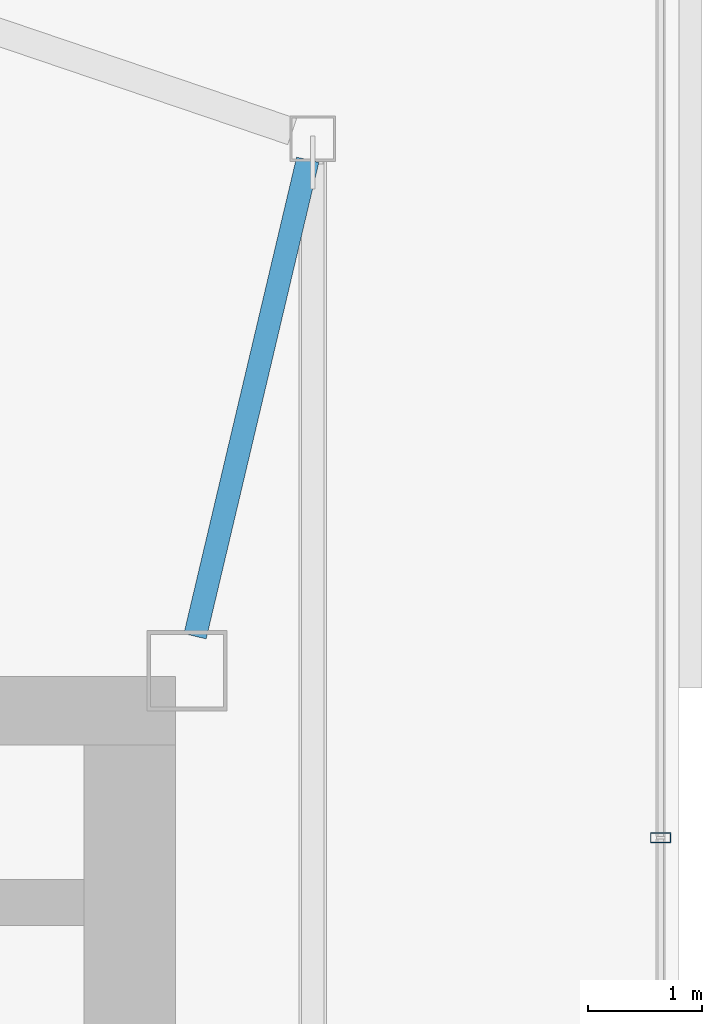
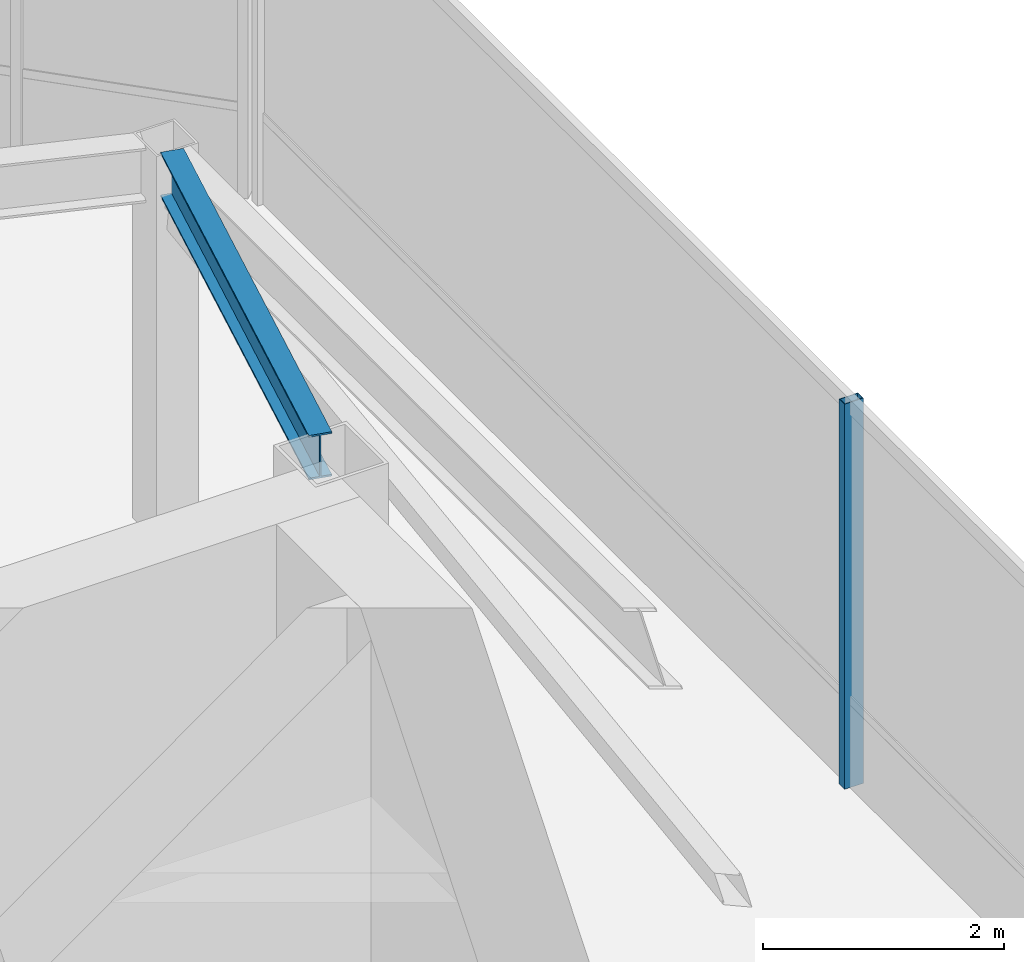
# One storey, part 12 of 21: 1 beam, 1 member, 1 element without a shape of its own.
"""IFC4 building model written with IfcOpenShell, lengths in metres."""

from ifc_helpers import new_model, si_unit, direction, frame, origin, origin_2d, place, context, subcontext, project, spatial, hollow_rectangle, i_section, extrude, material, layer, layer_set, material_profile, profile_set, type_object, element, aggregate, save


model = new_model("IFC4")

# Units and contexts
model_context = context("Model", 3, precision=1e-05, world=origin(), true_north=direction((0.0, 1.0)))
body_context = subcontext(model_context, "Body", "Model", "MODEL_VIEW")
ifc_project = project(units=[si_unit("LENGTHUNIT", "METRE"), si_unit("AREAUNIT", "SQUARE_METRE"), si_unit("VOLUMEUNIT", "CUBIC_METRE"), si_unit("PLANEANGLEUNIT", "RADIAN"), si_unit("MASSUNIT", "GRAM", prefix="KILO")], contexts=[model_context])

# Site, building, storey
site_placement = place(None, origin())
site = spatial("IfcSite", under=ifc_project, at=site_placement, CompositionType="ELEMENT")
building_placement = place(site_placement, origin())
building = spatial("IfcBuilding", under=site, at=building_placement, Name="Tavrogorsk Clinical Tower", CompositionType="ELEMENT")
storey_placement = place(building_placement, frame((0.0, 0.0, 348.60009765625)))
storey = spatial("IfcBuildingStorey", under=building, at=storey_placement, Name="L81", CompositionType="ELEMENT", Elevation=348.60009765625)

# Curtain wall, member
ifc_material_1 = material(Name="Anodised aluminium and triple IGU glazing", Category="aluminium")
ifc_layer = layer(ifc_material_1, 0.179931640625)
ifc_layer_set = layer_set([ifc_layer], Name="Anodised aluminium and triple IGU glazing")
curtain_wall_type = type_object("IfcCurtainWallType", Name="CW5_SkyLobby", PredefinedType="NOTDEFINED", material=ifc_layer_set)
curtain_wall_placement = place(storey_placement, origin())
curtain_wall = element("IfcCurtainWall", 1, at=curtain_wall_placement, inside=storey, type_object=curtain_wall_type, Name="L81 Curtain Wall CW-L81-DRUM-6", PredefinedType="NOTDEFINED")
ifc_material_2 = material(Name="Anodised aluminium alloy AW-6060", Category="aluminium")
ifc_material_profile_1 = material_profile(ifc_material_2, hollow_rectangle(XDim=0.090087890625, YDim=0.179931640625, WallThickness=0.00634765625, at=origin_2d()), Name="RHS-180x90x6.3")
ifc_profile_set_1 = profile_set([ifc_material_profile_1], Name="Anodised aluminium alloy AW-6060")
member_type = type_object("IfcMemberType", Name="CwMullion_180x90", PredefinedType="MULLION", material=ifc_profile_set_1)
member_placement = place(storey_placement, frame((26.239990234375, 4.891357421875, 0.0), z_axis=(0.0, 0.0, 1.0), x_axis=(0.0, -1.0, 0.0)))
member = element("IfcMember", 2, at=member_placement, type_object=member_type, Name="CW-L81-DRUM-6 Mullion 2", PredefinedType="MULLION", context=body_context, shape_type="SweptSolid", body=[
    extrude(hollow_rectangle(XDim=0.090087890625, YDim=0.179931640625, WallThickness=0.00634765625, at=origin_2d()), origin(), (0.0, 0.0, 1.0), 3.89990234375),
])
aggregate(curtain_wall, [member])

# Beam
ifc_material_3 = material(Name="Structural steel S355", Category="steel")
ifc_material_profile_2 = material_profile(ifc_material_3, i_section(OverallWidth=0.199951171875, OverallDepth=0.449951171875, WebThickness=0.011474609375, FlangeThickness=0.01806640625, at=origin_2d()), Name="B-450x200x11.5x18")
ifc_profile_set_2 = profile_set([ifc_material_profile_2], Name="Structural steel S355")
beam_type = type_object("IfcBeamType", Name="FloorBeam_B450", PredefinedType="BEAM", material=ifc_profile_set_2)
beam_placement = place(storey_placement, frame((22.17138671875, 6.651611328125, 3.6748046875), z_axis=(0.230190528398, 0.973145580392, 0.0), x_axis=(-0.973145580392, 0.230190528398, 0.0)))
element("IfcBeam", 3, at=beam_placement, inside=storey, type_object=beam_type, Name="L81 Crown Radial Beam 05", PredefinedType="BEAM", context=body_context, shape_type="SweptSolid", body=[
    extrude(i_section(OverallWidth=0.199951171875, OverallDepth=0.449951171875, WebThickness=0.011474609375, FlangeThickness=0.01806640625, at=origin_2d()), origin(), (0.0, 0.0, 1.0), 4.278564453125),
])

save(model, "model.ifc")
